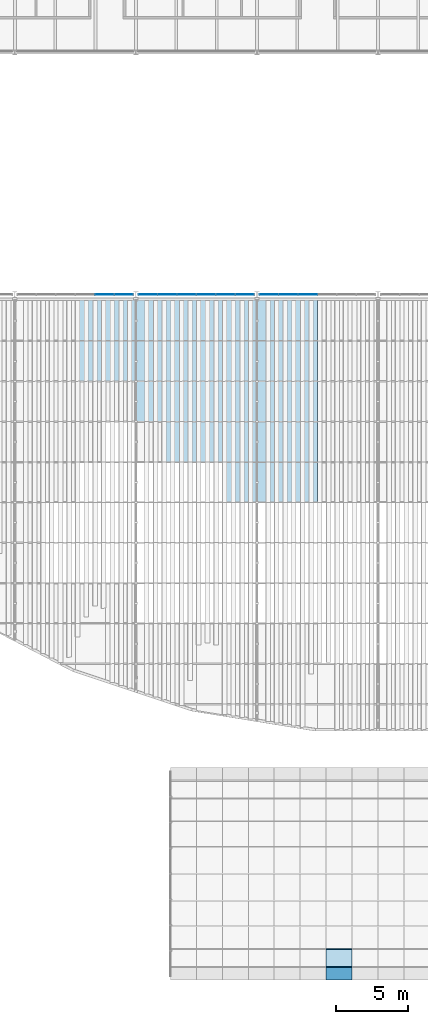
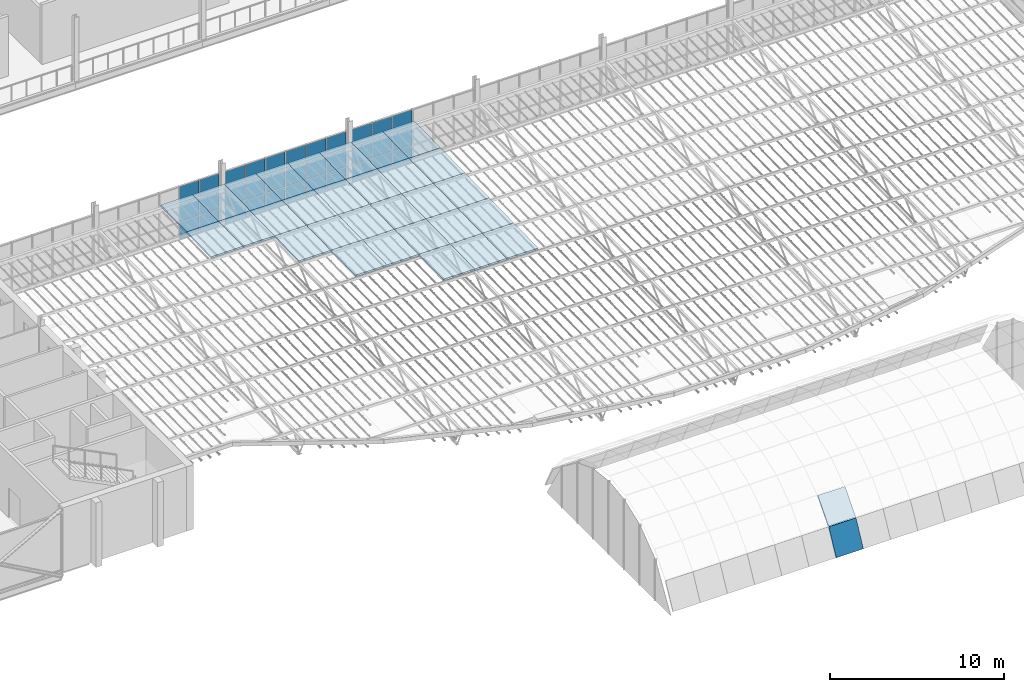
# One storey, part 69 of 129: 65 plates, 3 elements without a shape of their own.
"""IFC4 building model written with IfcOpenShell, lengths in metres."""

from ifc_helpers import new_model, si_unit, direction, frame, origin, origin_2d, place, context, subcontext, project, spatial, polyline, rectangle, outline, extrude, material, layer, layer_set, type_object, element, aggregate, save


model = new_model("IFC4")

# Units and contexts
model_context = context("Model", 3, precision=1e-05, world=origin(), true_north=direction((0.0, 1.0)))
body_context = subcontext(model_context, "Body", "Model", "MODEL_VIEW")
ifc_project = project(units=[si_unit("LENGTHUNIT", "METRE"), si_unit("AREAUNIT", "SQUARE_METRE"), si_unit("VOLUMEUNIT", "CUBIC_METRE"), si_unit("PLANEANGLEUNIT", "RADIAN"), si_unit("MASSUNIT", "GRAM", prefix="KILO")], contexts=[model_context])

# Site, building, storey
site_placement = place(None, origin())
site = spatial("IfcSite", under=ifc_project, at=site_placement, CompositionType="ELEMENT")
building_placement = place(site_placement, origin())
building = spatial("IfcBuilding", under=site, at=building_placement, Name="Ardhachandra Cancer Care Centre", CompositionType="ELEMENT")
storey_placement = place(building_placement, frame((0.0, 0.0, 4.5)))
storey = spatial("IfcBuildingStorey", under=building, at=storey_placement, Name="L01", CompositionType="ELEMENT", Elevation=4.5)

# Plates
ifc_material_1 = material(Name="Glass, laminated low-e insulating unit", Category="glass")
ifc_layer_1 = layer(ifc_material_1, 0.1201171875)
ifc_layer_set_1 = layer_set([ifc_layer_1], Name="Glass, laminated low-e insulating unit")
plate_type_1 = type_object("IfcPlateType", Name="Court glass cassette 120", PredefinedType="SHEET", material=ifc_layer_set_1)
plate_1_placement = place(storey_placement, frame((59.10009765625, 51.375, 3.007568359375), z_axis=(0.0, -0.019934189218, 0.999801294308), x_axis=(-1.0, 0.0, 0.0)))
element("IfcPlate", 1, at=plate_1_placement, inside=storey, type_object=plate_type_1, Name="Court glass cassette 2-1-3", PredefinedType="SHEET", context=body_context, shape_type="SweptSolid", body=[
    extrude(outline(polyline([(0.0, -3.00048828125), (2.10009765625, -3.00048828125), (2.10009765625, 0.0), (0.0, 0.0), (0.0, -3.00048828125)])), frame((0.0, 0.0, -0.1201171875)), (0.0, 0.0, 1.0), 0.1201171875),
])
plate_2_placement = place(storey_placement, frame((61.199951171875, 51.375, 3.007568359375), z_axis=(0.0, -0.019934189218, 0.999801294308), x_axis=(-1.0, 0.0, 0.0)))
element("IfcPlate", 2, at=plate_2_placement, inside=storey, type_object=plate_type_1, Name="Court glass cassette 2-1-4", PredefinedType="SHEET", context=body_context, shape_type="SweptSolid", body=[
    extrude(outline(polyline([(0.0, -3.00048828125), (2.099853515625, -3.00048828125), (2.099853515625, 0.0), (0.0, 0.0), (0.0, -3.00048828125)])), frame((0.0, 0.0, -0.1201171875)), (0.0, 0.0, 1.0), 0.1201171875),
])
plate_3_placement = place(storey_placement, frame((57.0, 48.574951171875, 2.951416015625), z_axis=(0.0, -0.02005002746, 0.999798977995), x_axis=(0.0, 0.999798977995, 0.02005002746)))
element("IfcPlate", 3, at=plate_3_placement, inside=storey, type_object=plate_type_1, Name="Court glass cassette 2-2-3", PredefinedType="SHEET", context=body_context, shape_type="SweptSolid", body=[
    extrude(outline(polyline([(0.0, -2.10009765625), (2.800537109375, -2.10009765625), (2.800537109375, 0.0), (0.0, 0.0), (0.0, -2.10009765625)])), frame((0.0, 0.0, -0.1201171875)), (0.0, 0.0, 1.0), 0.1201171875),
])
plate_4_placement = place(storey_placement, frame((59.10009765625, 48.574951171875, 2.951416015625), z_axis=(0.0, -0.02005002746, 0.999798977995), x_axis=(0.0, 0.999798977995, 0.02005002746)))
element("IfcPlate", 4, at=plate_4_placement, inside=storey, type_object=plate_type_1, Name="Court glass cassette 2-2-4", PredefinedType="SHEET", context=body_context, shape_type="SweptSolid", body=[
    extrude(outline(polyline([(0.0, -2.099853515625), (2.800537109375, -2.099853515625), (2.800537109375, 0.0), (0.0, 0.0), (0.0, -2.099853515625)])), frame((0.0, 0.0, -0.1201171875)), (0.0, 0.0, 1.0), 0.1201171875),
])
plate_5_placement = place(storey_placement, frame((63.300048828125, 51.375, 3.007568359375), z_axis=(0.0, -0.019934189218, 0.999801294308), x_axis=(-1.0, 0.0, 0.0)))
element("IfcPlate", 5, at=plate_5_placement, inside=storey, type_object=plate_type_1, Name="Court glass cassette 3-1-1", PredefinedType="SHEET", context=body_context, shape_type="SweptSolid", body=[
    extrude(outline(polyline([(0.0, -3.00048828125), (2.10009765625, -3.00048828125), (2.10009765625, 0.0), (0.0, 0.0), (0.0, -3.00048828125)])), frame((0.0, 0.0, -0.1201171875)), (0.0, 0.0, 1.0), 0.1201171875),
])
plate_6_placement = place(storey_placement, frame((65.39990234375, 51.375, 3.007568359375), z_axis=(0.0, -0.019934189218, 0.999801294308), x_axis=(-1.0, 0.0, 0.0)))
element("IfcPlate", 6, at=plate_6_placement, inside=storey, type_object=plate_type_1, Name="Court glass cassette 3-1-2", PredefinedType="SHEET", context=body_context, shape_type="SweptSolid", body=[
    extrude(outline(polyline([(0.0, -3.00048828125), (2.099853515625, -3.00048828125), (2.099853515625, 0.0), (0.0, 0.0), (0.0, -3.00048828125)])), frame((0.0, 0.0, -0.1201171875)), (0.0, 0.0, 1.0), 0.1201171875),
])
for number, where, z_axis, x_axis, name in (
    (7, (67.5, 51.375, 3.007568359375), (0.0, -0.019934189218, 0.999801294308), (-1.0, 0.0, 0.0), "Court glass cassette 3-1-3"),
    (8, (69.60009765625, 51.375, 3.007568359375), (0.0, -0.019934189218, 0.999801294308), (-1.0, 0.0, 0.0), "Court glass cassette 3-1-4"),
):
    element("IfcPlate", number, at=place(storey_placement, frame(where, z_axis=z_axis, x_axis=x_axis)), inside=storey, type_object=plate_type_1, Name=name, PredefinedType="SHEET", context=body_context, shape_type="SweptSolid", body=[
        extrude(outline(polyline([(0.0, -3.00048828125), (2.10009765625, -3.00048828125), (2.10009765625, 0.0), (0.0, 0.0), (0.0, -3.00048828125)])), frame((0.0, 0.0, -0.1201171875)), (0.0, 0.0, 1.0), 0.1201171875),
    ])
plate_7_placement = place(storey_placement, frame((61.199951171875, 48.574951171875, 2.951416015625), z_axis=(0.0, -0.02005002746, 0.999798977995), x_axis=(0.0, 0.999798977995, 0.02005002746)))
element("IfcPlate", 9, at=plate_7_placement, inside=storey, type_object=plate_type_1, Name="Court glass cassette 3-2-1", PredefinedType="SHEET", context=body_context, shape_type="SweptSolid", body=[
    extrude(outline(polyline([(0.0, -2.10009765625), (2.800537109375, -2.10009765625), (2.800537109375, 0.0), (0.0, 0.0), (0.0, -2.10009765625)])), frame((0.0, 0.0, -0.1201171875)), (0.0, 0.0, 1.0), 0.1201171875),
])
plate_8_placement = place(storey_placement, frame((63.300048828125, 48.574951171875, 2.951416015625), z_axis=(0.0, -0.02005002746, 0.999798977995), x_axis=(0.0, 0.999798977995, 0.02005002746)))
element("IfcPlate", 10, at=plate_8_placement, inside=storey, type_object=plate_type_1, Name="Court glass cassette 3-2-2", PredefinedType="SHEET", context=body_context, shape_type="SweptSolid", body=[
    extrude(outline(polyline([(0.0, -2.099853515625), (2.800537109375, -2.099853515625), (2.800537109375, 0.0), (0.0, 0.0), (0.0, -2.099853515625)])), frame((0.0, 0.0, -0.1201171875)), (0.0, 0.0, 1.0), 0.1201171875),
])
for number, where, z_axis, x_axis, name in (
    (11, (65.39990234375, 48.574951171875, 2.951416015625), (0.0, -0.02005002746, 0.999798977995), (0.0, 0.999798977995, 0.02005002746), "Court glass cassette 3-2-3"),
    (12, (67.5, 48.574951171875, 2.951416015625), (0.0, -0.02005002746, 0.999798977995), (0.0, 0.999798977995, 0.02005002746), "Court glass cassette 3-2-4"),
    (13, (61.199951171875, 45.77490234375, 2.8955078125), (0.0, -0.019962888244, 0.999800721691), (0.0, 0.999800721691, 0.019962888244), "Court glass cassette 3-3-1"),
):
    element("IfcPlate", number, at=place(storey_placement, frame(where, z_axis=z_axis, x_axis=x_axis)), inside=storey, type_object=plate_type_1, Name=name, PredefinedType="SHEET", context=body_context, shape_type="SweptSolid", body=[
        extrude(outline(polyline([(0.0, -2.10009765625), (2.800537109375, -2.10009765625), (2.800537109375, 0.0), (0.0, 0.0), (0.0, -2.10009765625)])), frame((0.0, 0.0, -0.1201171875)), (0.0, 0.0, 1.0), 0.1201171875),
    ])
plate_9_placement = place(storey_placement, frame((63.300048828125, 45.77490234375, 2.8955078125), z_axis=(0.0, -0.019962888244, 0.999800721691), x_axis=(0.0, 0.999800721691, 0.019962888244)))
element("IfcPlate", 14, at=plate_9_placement, inside=storey, type_object=plate_type_1, Name="Court glass cassette 3-3-2", PredefinedType="SHEET", context=body_context, shape_type="SweptSolid", body=[
    extrude(outline(polyline([(0.0, -2.099853515625), (2.800537109375, -2.099853515625), (2.800537109375, 0.0), (0.0, 0.0), (0.0, -2.099853515625)])), frame((0.0, 0.0, -0.1201171875)), (0.0, 0.0, 1.0), 0.1201171875),
])
for number, where, z_axis, x_axis, name in (
    (15, (65.39990234375, 45.77490234375, 2.8955078125), (0.0, -0.019962888244, 0.999800721691), (0.0, 0.999800721691, 0.019962888244), "Court glass cassette 3-3-3"),
    (16, (67.5, 45.77490234375, 2.8955078125), (0.0, -0.019962888244, 0.999800721691), (0.0, 0.999800721691, 0.019962888244), "Court glass cassette 3-3-4"),
):
    element("IfcPlate", number, at=place(storey_placement, frame(where, z_axis=z_axis, x_axis=x_axis)), inside=storey, type_object=plate_type_1, Name=name, PredefinedType="SHEET", context=body_context, shape_type="SweptSolid", body=[
        extrude(outline(polyline([(0.0, -2.10009765625), (2.800537109375, -2.10009765625), (2.800537109375, 0.0), (0.0, 0.0), (0.0, -2.10009765625)])), frame((0.0, 0.0, -0.1201171875)), (0.0, 0.0, 1.0), 0.1201171875),
    ])
plate_10_placement = place(storey_placement, frame((63.300048828125, 42.97509765625, 2.839599609375), z_axis=(0.0, -0.019964628297, 0.999800686946), x_axis=(0.0, 0.999800686946, 0.019964628297)))
element("IfcPlate", 17, at=plate_10_placement, inside=storey, type_object=plate_type_1, Name="Court glass cassette 3-4-2", PredefinedType="SHEET", context=body_context, shape_type="SweptSolid", body=[
    extrude(outline(polyline([(0.0, -2.099853515625), (2.80029296875, -2.099853515625), (2.80029296875, 0.0), (0.0, 0.0), (0.0, -2.099853515625)])), frame((0.0, 0.0, -0.1201171875)), (0.0, 0.0, 1.0), 0.1201171875),
])
for number, where, z_axis, x_axis, name in (
    (18, (65.39990234375, 42.97509765625, 2.839599609375), (0.0, -0.019964628297, 0.999800686946), (0.0, 0.999800686946, 0.019964628297), "Court glass cassette 3-4-3"),
    (19, (67.5, 42.97509765625, 2.839599609375), (0.0, -0.019964628297, 0.999800686946), (0.0, 0.999800686946, 0.019964628297), "Court glass cassette 3-4-4"),
):
    element("IfcPlate", number, at=place(storey_placement, frame(where, z_axis=z_axis, x_axis=x_axis)), inside=storey, type_object=plate_type_1, Name=name, PredefinedType="SHEET", context=body_context, shape_type="SweptSolid", body=[
        extrude(outline(polyline([(0.0, -2.10009765625), (2.80029296875, -2.10009765625), (2.80029296875, 0.0), (0.0, 0.0), (0.0, -2.10009765625)])), frame((0.0, 0.0, -0.1201171875)), (0.0, 0.0, 1.0), 0.1201171875),
    ])
plate_11_placement = place(storey_placement, frame((67.5, 40.175048828125, 2.783447265625), z_axis=(0.0, -0.02005002746, 0.999798977995), x_axis=(0.0, 0.999798977995, 0.02005002746)))
element("IfcPlate", 20, at=plate_11_placement, inside=storey, type_object=plate_type_1, Name="Court glass cassette 3-5-4", PredefinedType="SHEET", context=body_context, shape_type="SweptSolid", body=[
    extrude(outline(polyline([(0.0, -2.10009765625), (2.800537109375, -2.10009765625), (2.800537109375, 0.0), (0.0, 0.0), (0.0, -2.10009765625)])), frame((0.0, 0.0, -0.1201171875)), (0.0, 0.0, 1.0), 0.1201171875),
])
plate_12_placement = place(storey_placement, frame((71.699951171875, 51.375, 3.007568359375), z_axis=(0.0, -0.019934189218, 0.999801294308), x_axis=(-1.0, 0.0, 0.0)))
element("IfcPlate", 21, at=plate_12_placement, inside=storey, type_object=plate_type_1, Name="Court glass cassette 4-1-1", PredefinedType="SHEET", context=body_context, shape_type="SweptSolid", body=[
    extrude(outline(polyline([(0.0, -3.00048828125), (2.099853515625, -3.00048828125), (2.099853515625, 0.0), (0.0, 0.0), (0.0, -3.00048828125)])), frame((0.0, 0.0, -0.1201171875)), (0.0, 0.0, 1.0), 0.1201171875),
])
plate_13_placement = place(storey_placement, frame((73.800048828125, 51.375, 3.007568359375), z_axis=(0.0, -0.019934189218, 0.999801294308), x_axis=(-1.0, 0.0, 0.0)))
element("IfcPlate", 22, at=plate_13_placement, inside=storey, type_object=plate_type_1, Name="Court glass cassette 4-1-2", PredefinedType="SHEET", context=body_context, shape_type="SweptSolid", body=[
    extrude(outline(polyline([(0.0, -3.00048828125), (2.10009765625, -3.00048828125), (2.10009765625, 0.0), (0.0, 0.0), (0.0, -3.00048828125)])), frame((0.0, 0.0, -0.1201171875)), (0.0, 0.0, 1.0), 0.1201171875),
])
plate_14_placement = place(storey_placement, frame((69.60009765625, 48.574951171875, 2.951416015625), z_axis=(0.0, -0.02005002746, 0.999798977995), x_axis=(0.0, 0.999798977995, 0.02005002746)))
element("IfcPlate", 23, at=plate_14_placement, inside=storey, type_object=plate_type_1, Name="Court glass cassette 4-2-1", PredefinedType="SHEET", context=body_context, shape_type="SweptSolid", body=[
    extrude(outline(polyline([(0.0, -2.099853515625), (2.800537109375, -2.099853515625), (2.800537109375, 0.0), (0.0, 0.0), (0.0, -2.099853515625)])), frame((0.0, 0.0, -0.1201171875)), (0.0, 0.0, 1.0), 0.1201171875),
])
plate_15_placement = place(storey_placement, frame((71.699951171875, 48.574951171875, 2.951416015625), z_axis=(0.0, -0.02005002746, 0.999798977995), x_axis=(0.0, 0.999798977995, 0.02005002746)))
element("IfcPlate", 24, at=plate_15_placement, inside=storey, type_object=plate_type_1, Name="Court glass cassette 4-2-2", PredefinedType="SHEET", context=body_context, shape_type="SweptSolid", body=[
    extrude(outline(polyline([(0.0, -2.10009765625), (2.800537109375, -2.10009765625), (2.800537109375, 0.0), (0.0, 0.0), (0.0, -2.10009765625)])), frame((0.0, 0.0, -0.1201171875)), (0.0, 0.0, 1.0), 0.1201171875),
])
plate_16_placement = place(storey_placement, frame((69.60009765625, 45.77490234375, 2.8955078125), z_axis=(0.0, -0.019962888244, 0.999800721691), x_axis=(0.0, 0.999800721691, 0.019962888244)))
element("IfcPlate", 25, at=plate_16_placement, inside=storey, type_object=plate_type_1, Name="Court glass cassette 4-3-1", PredefinedType="SHEET", context=body_context, shape_type="SweptSolid", body=[
    extrude(outline(polyline([(0.0, -2.099853515625), (2.800537109375, -2.099853515625), (2.800537109375, 0.0), (0.0, 0.0), (0.0, -2.099853515625)])), frame((0.0, 0.0, -0.1201171875)), (0.0, 0.0, 1.0), 0.1201171875),
])
plate_17_placement = place(storey_placement, frame((71.699951171875, 45.77490234375, 2.8955078125), z_axis=(0.0, -0.019962888244, 0.999800721691), x_axis=(0.0, 0.999800721691, 0.019962888244)))
element("IfcPlate", 26, at=plate_17_placement, inside=storey, type_object=plate_type_1, Name="Court glass cassette 4-3-2", PredefinedType="SHEET", context=body_context, shape_type="SweptSolid", body=[
    extrude(outline(polyline([(0.0, -2.10009765625), (2.800537109375, -2.10009765625), (2.800537109375, 0.0), (0.0, 0.0), (0.0, -2.10009765625)])), frame((0.0, 0.0, -0.1201171875)), (0.0, 0.0, 1.0), 0.1201171875),
])
plate_18_placement = place(storey_placement, frame((69.60009765625, 42.97509765625, 2.839599609375), z_axis=(0.0, -0.019964628297, 0.999800686946), x_axis=(0.0, 0.999800686946, 0.019964628297)))
element("IfcPlate", 27, at=plate_18_placement, inside=storey, type_object=plate_type_1, Name="Court glass cassette 4-4-1", PredefinedType="SHEET", context=body_context, shape_type="SweptSolid", body=[
    extrude(outline(polyline([(0.0, -2.099853515625), (2.80029296875, -2.099853515625), (2.80029296875, 0.0), (0.0, 0.0), (0.0, -2.099853515625)])), frame((0.0, 0.0, -0.1201171875)), (0.0, 0.0, 1.0), 0.1201171875),
])
plate_19_placement = place(storey_placement, frame((71.699951171875, 42.97509765625, 2.839599609375), z_axis=(0.0, -0.019964628297, 0.999800686946), x_axis=(0.0, 0.999800686946, 0.019964628297)))
element("IfcPlate", 28, at=plate_19_placement, inside=storey, type_object=plate_type_1, Name="Court glass cassette 4-4-2", PredefinedType="SHEET", context=body_context, shape_type="SweptSolid", body=[
    extrude(outline(polyline([(0.0, -2.10009765625), (2.80029296875, -2.10009765625), (2.80029296875, 0.0), (0.0, 0.0), (0.0, -2.10009765625)])), frame((0.0, 0.0, -0.1201171875)), (0.0, 0.0, 1.0), 0.1201171875),
])
plate_20_placement = place(storey_placement, frame((69.60009765625, 40.175048828125, 2.783447265625), z_axis=(0.0, -0.02005002746, 0.999798977995), x_axis=(0.0, 0.999798977995, 0.02005002746)))
element("IfcPlate", 29, at=plate_20_placement, inside=storey, type_object=plate_type_1, Name="Court glass cassette 4-5-1", PredefinedType="SHEET", context=body_context, shape_type="SweptSolid", body=[
    extrude(outline(polyline([(0.0, -2.099853515625), (2.800537109375, -2.099853515625), (2.800537109375, 0.0), (0.0, 0.0), (0.0, -2.099853515625)])), frame((0.0, 0.0, -0.1201171875)), (0.0, 0.0, 1.0), 0.1201171875),
])
plate_21_placement = place(storey_placement, frame((71.699951171875, 40.175048828125, 2.783447265625), z_axis=(0.0, -0.02005002746, 0.999798977995), x_axis=(0.0, 0.999798977995, 0.02005002746)))
element("IfcPlate", 30, at=plate_21_placement, inside=storey, type_object=plate_type_1, Name="Court glass cassette 4-5-2", PredefinedType="SHEET", context=body_context, shape_type="SweptSolid", body=[
    extrude(outline(polyline([(0.0, -2.10009765625), (2.800537109375, -2.10009765625), (2.800537109375, 0.0), (0.0, 0.0), (0.0, -2.10009765625)])), frame((0.0, 0.0, -0.1201171875)), (0.0, 0.0, 1.0), 0.1201171875),
])

# Curtain wall, plates
ifc_material_2 = material(Name="Aluminium extrusion", Category="aluminium")
ifc_layer_2 = layer(ifc_material_2, 0.14990234375)
ifc_layer_set_2 = layer_set([ifc_layer_2], Name="Aluminium extrusion")
curtain_wall_type = type_object("IfcCurtainWallType", Name="Curtain wall run", PredefinedType="NOTDEFINED", material=ifc_layer_set_2)
curtain_wall_1_placement = place(storey_placement, origin())
curtain_wall_1 = element("IfcCurtainWall", 31, at=curtain_wall_1_placement, inside=storey, type_object=curtain_wall_type, Name="Curtain wall L01 s/0052800_0054600", PredefinedType="NOTDEFINED")
ifc_material_3 = material(Name="Low-iron double-glazed unit")
ifc_layer_3 = layer(ifc_material_3, 0.028076171875)
ifc_layer_set_3 = layer_set([ifc_layer_3], Name="Low-iron double-glazed unit")
plate_type_2 = type_object("IfcPlateType", Name="Curtain wall glazing 28", PredefinedType="CURTAIN_PANEL", material=ifc_layer_set_3)
plate_22_placement = place(storey_placement, frame((59.02490234375, 54.60009765625, 0.06005859375), z_axis=(0.0, 0.0, 1.0), x_axis=(1.0, 0.0, 0.0)))
plate_22 = element("IfcPlate", 32, at=plate_22_placement, type_object=plate_type_2, Name="CW panel 5.1", PredefinedType="CURTAIN_PANEL", context=body_context, shape_type="SweptSolid", body=[
    extrude(rectangle(XDim=1.2900390625, YDim=0.028076171875, at=origin_2d()), origin(), (0.0, 0.0, 1.0), 1.170166015625),
])
plate_23_placement = place(storey_placement, frame((59.02490234375, 54.60009765625, 1.2900390625), z_axis=(0.0, 0.0, 1.0), x_axis=(1.0, 0.0, 0.0)))
plate_23 = element("IfcPlate", 33, at=plate_23_placement, type_object=plate_type_2, Name="CW panel 5.2", PredefinedType="CURTAIN_PANEL", context=body_context, shape_type="SweptSolid", body=[
    extrude(rectangle(XDim=1.2900390625, YDim=0.028076171875, at=origin_2d()), origin(), (0.0, 0.0, 1.0), 1.2001953125),
])
plate_24_placement = place(storey_placement, frame((59.02490234375, 54.60009765625, 2.55029296875), z_axis=(0.0, 0.0, 1.0), x_axis=(1.0, 0.0, 0.0)))
plate_24 = element("IfcPlate", 34, at=plate_24_placement, type_object=plate_type_2, Name="CW panel 5.3", PredefinedType="CURTAIN_PANEL", context=body_context, shape_type="SweptSolid", body=[
    extrude(rectangle(XDim=1.2900390625, YDim=0.028076171875, at=origin_2d()), origin(), (0.0, 0.0, 1.0), 1.170166015625),
])
plate_25_placement = place(storey_placement, frame((60.360107421875, 54.60009765625, 0.06005859375), z_axis=(0.0, 0.0, 1.0), x_axis=(1.0, 0.0, 0.0)))
plate_25 = element("IfcPlate", 35, at=plate_25_placement, type_object=plate_type_2, Name="CW panel 6.1", PredefinedType="CURTAIN_PANEL", context=body_context, shape_type="SweptSolid", body=[
    extrude(rectangle(XDim=1.260009765625, YDim=0.028076171875, at=origin_2d()), origin(), (0.0, 0.0, 1.0), 1.170166015625),
])
plate_26_placement = place(storey_placement, frame((60.360107421875, 54.60009765625, 1.2900390625), z_axis=(0.0, 0.0, 1.0), x_axis=(1.0, 0.0, 0.0)))
plate_26 = element("IfcPlate", 36, at=plate_26_placement, type_object=plate_type_2, Name="CW panel 6.2", PredefinedType="CURTAIN_PANEL", context=body_context, shape_type="SweptSolid", body=[
    extrude(rectangle(XDim=1.260009765625, YDim=0.028076171875, at=origin_2d()), origin(), (0.0, 0.0, 1.0), 1.2001953125),
])
plate_27_placement = place(storey_placement, frame((60.360107421875, 54.60009765625, 2.55029296875), z_axis=(0.0, 0.0, 1.0), x_axis=(1.0, 0.0, 0.0)))
plate_27 = element("IfcPlate", 37, at=plate_27_placement, type_object=plate_type_2, Name="CW panel 6.3", PredefinedType="CURTAIN_PANEL", context=body_context, shape_type="SweptSolid", body=[
    extrude(rectangle(XDim=1.260009765625, YDim=0.028076171875, at=origin_2d()), origin(), (0.0, 0.0, 1.0), 1.170166015625),
])
aggregate(curtain_wall_1, [plate_22, plate_23, plate_24, plate_25, plate_26, plate_27])

curtain_wall_2_placement = place(storey_placement, origin())
curtain_wall_2 = element("IfcCurtainWall", 38, at=curtain_wall_2_placement, inside=storey, type_object=curtain_wall_type, Name="Curtain wall L01 s/0061200_0054600", PredefinedType="NOTDEFINED")
plate_28_placement = place(storey_placement, frame((62.0400390625, 54.60009765625, 0.06005859375), z_axis=(0.0, 0.0, 1.0), x_axis=(1.0, 0.0, 0.0)))
plate_28 = element("IfcPlate", 39, at=plate_28_placement, type_object=plate_type_2, Name="CW panel 1.1", PredefinedType="CURTAIN_PANEL", context=body_context, shape_type="SweptSolid", body=[
    extrude(rectangle(XDim=1.260009765625, YDim=0.028076171875, at=origin_2d()), origin(), (0.0, 0.0, 1.0), 1.170166015625),
])
plate_29_placement = place(storey_placement, frame((62.0400390625, 54.60009765625, 1.2900390625), z_axis=(0.0, 0.0, 1.0), x_axis=(1.0, 0.0, 0.0)))
plate_29 = element("IfcPlate", 40, at=plate_29_placement, type_object=plate_type_2, Name="CW panel 1.2", PredefinedType="CURTAIN_PANEL", context=body_context, shape_type="SweptSolid", body=[
    extrude(rectangle(XDim=1.260009765625, YDim=0.028076171875, at=origin_2d()), origin(), (0.0, 0.0, 1.0), 1.2001953125),
])
plate_30_placement = place(storey_placement, frame((62.0400390625, 54.60009765625, 2.55029296875), z_axis=(0.0, 0.0, 1.0), x_axis=(1.0, 0.0, 0.0)))
plate_30 = element("IfcPlate", 41, at=plate_30_placement, type_object=plate_type_2, Name="CW panel 1.3", PredefinedType="CURTAIN_PANEL", context=body_context, shape_type="SweptSolid", body=[
    extrude(rectangle(XDim=1.260009765625, YDim=0.028076171875, at=origin_2d()), origin(), (0.0, 0.0, 1.0), 1.170166015625),
])
plate_31_placement = place(storey_placement, frame((63.375, 54.60009765625, 0.06005859375), z_axis=(0.0, 0.0, 1.0), x_axis=(1.0, 0.0, 0.0)))
plate_31 = element("IfcPlate", 42, at=plate_31_placement, type_object=plate_type_2, Name="CW panel 2.1", PredefinedType="CURTAIN_PANEL", context=body_context, shape_type="SweptSolid", body=[
    extrude(rectangle(XDim=1.2900390625, YDim=0.028076171875, at=origin_2d()), origin(), (0.0, 0.0, 1.0), 1.170166015625),
])
plate_32_placement = place(storey_placement, frame((63.375, 54.60009765625, 1.2900390625), z_axis=(0.0, 0.0, 1.0), x_axis=(1.0, 0.0, 0.0)))
plate_32 = element("IfcPlate", 43, at=plate_32_placement, type_object=plate_type_2, Name="CW panel 2.2", PredefinedType="CURTAIN_PANEL", context=body_context, shape_type="SweptSolid", body=[
    extrude(rectangle(XDim=1.2900390625, YDim=0.028076171875, at=origin_2d()), origin(), (0.0, 0.0, 1.0), 1.2001953125),
])
plate_33_placement = place(storey_placement, frame((63.375, 54.60009765625, 2.55029296875), z_axis=(0.0, 0.0, 1.0), x_axis=(1.0, 0.0, 0.0)))
plate_33 = element("IfcPlate", 44, at=plate_33_placement, type_object=plate_type_2, Name="CW panel 2.3", PredefinedType="CURTAIN_PANEL", context=body_context, shape_type="SweptSolid", body=[
    extrude(rectangle(XDim=1.2900390625, YDim=0.028076171875, at=origin_2d()), origin(), (0.0, 0.0, 1.0), 1.170166015625),
])
plate_34_placement = place(storey_placement, frame((64.72509765625, 54.60009765625, 0.06005859375), z_axis=(0.0, 0.0, 1.0), x_axis=(1.0, 0.0, 0.0)))
plate_34 = element("IfcPlate", 45, at=plate_34_placement, type_object=plate_type_2, Name="CW panel 3.1", PredefinedType="CURTAIN_PANEL", context=body_context, shape_type="SweptSolid", body=[
    extrude(rectangle(XDim=1.2900390625, YDim=0.028076171875, at=origin_2d()), origin(), (0.0, 0.0, 1.0), 1.170166015625),
])
plate_35_placement = place(storey_placement, frame((64.72509765625, 54.60009765625, 1.2900390625), z_axis=(0.0, 0.0, 1.0), x_axis=(1.0, 0.0, 0.0)))
plate_35 = element("IfcPlate", 46, at=plate_35_placement, type_object=plate_type_2, Name="CW panel 3.2", PredefinedType="CURTAIN_PANEL", context=body_context, shape_type="SweptSolid", body=[
    extrude(rectangle(XDim=1.2900390625, YDim=0.028076171875, at=origin_2d()), origin(), (0.0, 0.0, 1.0), 1.2001953125),
])
plate_36_placement = place(storey_placement, frame((64.72509765625, 54.60009765625, 2.55029296875), z_axis=(0.0, 0.0, 1.0), x_axis=(1.0, 0.0, 0.0)))
plate_36 = element("IfcPlate", 47, at=plate_36_placement, type_object=plate_type_2, Name="CW panel 3.3", PredefinedType="CURTAIN_PANEL", context=body_context, shape_type="SweptSolid", body=[
    extrude(rectangle(XDim=1.2900390625, YDim=0.028076171875, at=origin_2d()), origin(), (0.0, 0.0, 1.0), 1.170166015625),
])
plate_37_placement = place(storey_placement, frame((66.074951171875, 54.60009765625, 0.06005859375), z_axis=(0.0, 0.0, 1.0), x_axis=(1.0, 0.0, 0.0)))
plate_37 = element("IfcPlate", 48, at=plate_37_placement, type_object=plate_type_2, Name="CW panel 4.1", PredefinedType="CURTAIN_PANEL", context=body_context, shape_type="SweptSolid", body=[
    extrude(rectangle(XDim=1.2900390625, YDim=0.028076171875, at=origin_2d()), origin(), (0.0, 0.0, 1.0), 1.170166015625),
])
plate_38_placement = place(storey_placement, frame((66.074951171875, 54.60009765625, 1.2900390625), z_axis=(0.0, 0.0, 1.0), x_axis=(1.0, 0.0, 0.0)))
plate_38 = element("IfcPlate", 49, at=plate_38_placement, type_object=plate_type_2, Name="CW panel 4.2", PredefinedType="CURTAIN_PANEL", context=body_context, shape_type="SweptSolid", body=[
    extrude(rectangle(XDim=1.2900390625, YDim=0.028076171875, at=origin_2d()), origin(), (0.0, 0.0, 1.0), 1.2001953125),
])
plate_39_placement = place(storey_placement, frame((66.074951171875, 54.60009765625, 2.55029296875), z_axis=(0.0, 0.0, 1.0), x_axis=(1.0, 0.0, 0.0)))
plate_39 = element("IfcPlate", 50, at=plate_39_placement, type_object=plate_type_2, Name="CW panel 4.3", PredefinedType="CURTAIN_PANEL", context=body_context, shape_type="SweptSolid", body=[
    extrude(rectangle(XDim=1.2900390625, YDim=0.028076171875, at=origin_2d()), origin(), (0.0, 0.0, 1.0), 1.170166015625),
])
plate_40_placement = place(storey_placement, frame((67.425048828125, 54.60009765625, 0.06005859375), z_axis=(0.0, 0.0, 1.0), x_axis=(1.0, 0.0, 0.0)))
plate_40 = element("IfcPlate", 51, at=plate_40_placement, type_object=plate_type_2, Name="CW panel 5.1", PredefinedType="CURTAIN_PANEL", context=body_context, shape_type="SweptSolid", body=[
    extrude(rectangle(XDim=1.2900390625, YDim=0.028076171875, at=origin_2d()), origin(), (0.0, 0.0, 1.0), 1.170166015625),
])
plate_41_placement = place(storey_placement, frame((67.425048828125, 54.60009765625, 1.2900390625), z_axis=(0.0, 0.0, 1.0), x_axis=(1.0, 0.0, 0.0)))
plate_41 = element("IfcPlate", 52, at=plate_41_placement, type_object=plate_type_2, Name="CW panel 5.2", PredefinedType="CURTAIN_PANEL", context=body_context, shape_type="SweptSolid", body=[
    extrude(rectangle(XDim=1.2900390625, YDim=0.028076171875, at=origin_2d()), origin(), (0.0, 0.0, 1.0), 1.2001953125),
])
plate_42_placement = place(storey_placement, frame((67.425048828125, 54.60009765625, 2.55029296875), z_axis=(0.0, 0.0, 1.0), x_axis=(1.0, 0.0, 0.0)))
plate_42 = element("IfcPlate", 53, at=plate_42_placement, type_object=plate_type_2, Name="CW panel 5.3", PredefinedType="CURTAIN_PANEL", context=body_context, shape_type="SweptSolid", body=[
    extrude(rectangle(XDim=1.2900390625, YDim=0.028076171875, at=origin_2d()), origin(), (0.0, 0.0, 1.0), 1.170166015625),
])
plate_43_placement = place(storey_placement, frame((68.760009765625, 54.60009765625, 0.06005859375), z_axis=(0.0, 0.0, 1.0), x_axis=(1.0, 0.0, 0.0)))
plate_43 = element("IfcPlate", 54, at=plate_43_placement, type_object=plate_type_2, Name="CW panel 6.1", PredefinedType="CURTAIN_PANEL", context=body_context, shape_type="SweptSolid", body=[
    extrude(rectangle(XDim=1.260009765625, YDim=0.028076171875, at=origin_2d()), origin(), (0.0, 0.0, 1.0), 1.170166015625),
])
plate_44_placement = place(storey_placement, frame((68.760009765625, 54.60009765625, 1.2900390625), z_axis=(0.0, 0.0, 1.0), x_axis=(1.0, 0.0, 0.0)))
plate_44 = element("IfcPlate", 55, at=plate_44_placement, type_object=plate_type_2, Name="CW panel 6.2", PredefinedType="CURTAIN_PANEL", context=body_context, shape_type="SweptSolid", body=[
    extrude(rectangle(XDim=1.260009765625, YDim=0.028076171875, at=origin_2d()), origin(), (0.0, 0.0, 1.0), 1.2001953125),
])
plate_45_placement = place(storey_placement, frame((68.760009765625, 54.60009765625, 2.55029296875), z_axis=(0.0, 0.0, 1.0), x_axis=(1.0, 0.0, 0.0)))
plate_45 = element("IfcPlate", 56, at=plate_45_placement, type_object=plate_type_2, Name="CW panel 6.3", PredefinedType="CURTAIN_PANEL", context=body_context, shape_type="SweptSolid", body=[
    extrude(rectangle(XDim=1.260009765625, YDim=0.028076171875, at=origin_2d()), origin(), (0.0, 0.0, 1.0), 1.170166015625),
])
aggregate(curtain_wall_2, [plate_28, plate_29, plate_30, plate_31, plate_32, plate_33, plate_34, plate_35, plate_36, plate_37, plate_38, plate_39, plate_40, plate_41, plate_42, plate_43, plate_44, plate_45])

curtain_wall_3_placement = place(storey_placement, origin())
curtain_wall_3 = element("IfcCurtainWall", 57, at=curtain_wall_3_placement, inside=storey, type_object=curtain_wall_type, Name="Curtain wall L01 s/0069600_0054600", PredefinedType="NOTDEFINED")
plate_46_placement = place(storey_placement, frame((70.43994140625, 54.60009765625, 0.06005859375), z_axis=(0.0, 0.0, 1.0), x_axis=(1.0, 0.0, 0.0)))
plate_46 = element("IfcPlate", 58, at=plate_46_placement, type_object=plate_type_2, Name="CW panel 1.1", PredefinedType="CURTAIN_PANEL", context=body_context, shape_type="SweptSolid", body=[
    extrude(rectangle(XDim=1.260009765625, YDim=0.028076171875, at=origin_2d()), origin(), (0.0, 0.0, 1.0), 1.170166015625),
])
plate_47_placement = place(storey_placement, frame((70.43994140625, 54.60009765625, 1.2900390625), z_axis=(0.0, 0.0, 1.0), x_axis=(1.0, 0.0, 0.0)))
plate_47 = element("IfcPlate", 59, at=plate_47_placement, type_object=plate_type_2, Name="CW panel 1.2", PredefinedType="CURTAIN_PANEL", context=body_context, shape_type="SweptSolid", body=[
    extrude(rectangle(XDim=1.260009765625, YDim=0.028076171875, at=origin_2d()), origin(), (0.0, 0.0, 1.0), 1.2001953125),
])
plate_48_placement = place(storey_placement, frame((70.43994140625, 54.60009765625, 2.55029296875), z_axis=(0.0, 0.0, 1.0), x_axis=(1.0, 0.0, 0.0)))
plate_48 = element("IfcPlate", 60, at=plate_48_placement, type_object=plate_type_2, Name="CW panel 1.3", PredefinedType="CURTAIN_PANEL", context=body_context, shape_type="SweptSolid", body=[
    extrude(rectangle(XDim=1.260009765625, YDim=0.028076171875, at=origin_2d()), origin(), (0.0, 0.0, 1.0), 1.170166015625),
])
plate_49_placement = place(storey_placement, frame((71.77490234375, 54.60009765625, 0.06005859375), z_axis=(0.0, 0.0, 1.0), x_axis=(1.0, 0.0, 0.0)))
plate_49 = element("IfcPlate", 61, at=plate_49_placement, type_object=plate_type_2, Name="CW panel 2.1", PredefinedType="CURTAIN_PANEL", context=body_context, shape_type="SweptSolid", body=[
    extrude(rectangle(XDim=1.2900390625, YDim=0.028076171875, at=origin_2d()), origin(), (0.0, 0.0, 1.0), 1.170166015625),
])
plate_50_placement = place(storey_placement, frame((71.77490234375, 54.60009765625, 1.2900390625), z_axis=(0.0, 0.0, 1.0), x_axis=(1.0, 0.0, 0.0)))
plate_50 = element("IfcPlate", 62, at=plate_50_placement, type_object=plate_type_2, Name="CW panel 2.2", PredefinedType="CURTAIN_PANEL", context=body_context, shape_type="SweptSolid", body=[
    extrude(rectangle(XDim=1.2900390625, YDim=0.028076171875, at=origin_2d()), origin(), (0.0, 0.0, 1.0), 1.2001953125),
])
plate_51_placement = place(storey_placement, frame((71.77490234375, 54.60009765625, 2.55029296875), z_axis=(0.0, 0.0, 1.0), x_axis=(1.0, 0.0, 0.0)))
plate_51 = element("IfcPlate", 63, at=plate_51_placement, type_object=plate_type_2, Name="CW panel 2.3", PredefinedType="CURTAIN_PANEL", context=body_context, shape_type="SweptSolid", body=[
    extrude(rectangle(XDim=1.2900390625, YDim=0.028076171875, at=origin_2d()), origin(), (0.0, 0.0, 1.0), 1.170166015625),
])
plate_52_placement = place(storey_placement, frame((73.125, 54.60009765625, 0.06005859375), z_axis=(0.0, 0.0, 1.0), x_axis=(1.0, 0.0, 0.0)))
plate_52 = element("IfcPlate", 64, at=plate_52_placement, type_object=plate_type_2, Name="CW panel 3.1", PredefinedType="CURTAIN_PANEL", context=body_context, shape_type="SweptSolid", body=[
    extrude(rectangle(XDim=1.2900390625, YDim=0.028076171875, at=origin_2d()), origin(), (0.0, 0.0, 1.0), 1.170166015625),
])
plate_53_placement = place(storey_placement, frame((73.125, 54.60009765625, 1.2900390625), z_axis=(0.0, 0.0, 1.0), x_axis=(1.0, 0.0, 0.0)))
plate_53 = element("IfcPlate", 65, at=plate_53_placement, type_object=plate_type_2, Name="CW panel 3.2", PredefinedType="CURTAIN_PANEL", context=body_context, shape_type="SweptSolid", body=[
    extrude(rectangle(XDim=1.2900390625, YDim=0.028076171875, at=origin_2d()), origin(), (0.0, 0.0, 1.0), 1.2001953125),
])
plate_54_placement = place(storey_placement, frame((73.125, 54.60009765625, 2.55029296875), z_axis=(0.0, 0.0, 1.0), x_axis=(1.0, 0.0, 0.0)))
plate_54 = element("IfcPlate", 66, at=plate_54_placement, type_object=plate_type_2, Name="CW panel 3.3", PredefinedType="CURTAIN_PANEL", context=body_context, shape_type="SweptSolid", body=[
    extrude(rectangle(XDim=1.2900390625, YDim=0.028076171875, at=origin_2d()), origin(), (0.0, 0.0, 1.0), 1.170166015625),
])
aggregate(curtain_wall_3, [plate_46, plate_47, plate_48, plate_49, plate_50, plate_51, plate_52, plate_53, plate_54])

# Plates
ifc_material_4 = material(Name="Insulated metal roof panel (galvalume skins, PIR core)")
ifc_layer_4 = layer(ifc_material_4, 0.10009765625)
ifc_layer_set_4 = layer_set([ifc_layer_4], Name="Insulated metal roof panel (galvalume skins, PIR core)")
plate_type_3 = type_object("IfcPlateType", Name="Gridshell insulated panel 100", PredefinedType="SHEET", material=ifc_layer_set_4)
plate_55_placement = place(storey_placement, frame((74.39990234375, 7.125244140625, 0.938720703125), z_axis=(0.0, -0.8878259961, 0.460179313582), x_axis=(1.0, 0.0, 0.0)))
element("IfcPlate", 67, at=plate_55_placement, inside=storey, type_object=plate_type_3, Name="Roof cell P 7.1", PredefinedType="SHEET", context=body_context, shape_type="SweptSolid", body=[
    extrude(outline(polyline([(0.0, 0.0), (1.800048828125, 0.0), (1.800048828125, 1.861083984375), (0.0, 1.861083984375), (0.0, 0.0)])), origin(), (0.0, 0.0, 1.0), 0.10009765625),
])
plate_56_placement = place(storey_placement, frame((74.39990234375, 7.9931640625, 2.60791015625), z_axis=(0.0, -0.751095909647, 0.660193103956), x_axis=(1.0, 0.0, 0.0)))
element("IfcPlate", 68, at=plate_56_placement, inside=storey, type_object=plate_type_3, Name="Roof cell P 7.2", PredefinedType="SHEET", context=body_context, shape_type="SweptSolid", body=[
    extrude(outline(polyline([(0.0, 0.0), (1.800048828125, 0.0), (1.800048828125, 1.861328125), (0.0, 1.861328125), (0.0, 0.0)])), origin(), (0.0, 0.0, 1.0), 0.10009765625),
])

save(model, "model.ifc")
